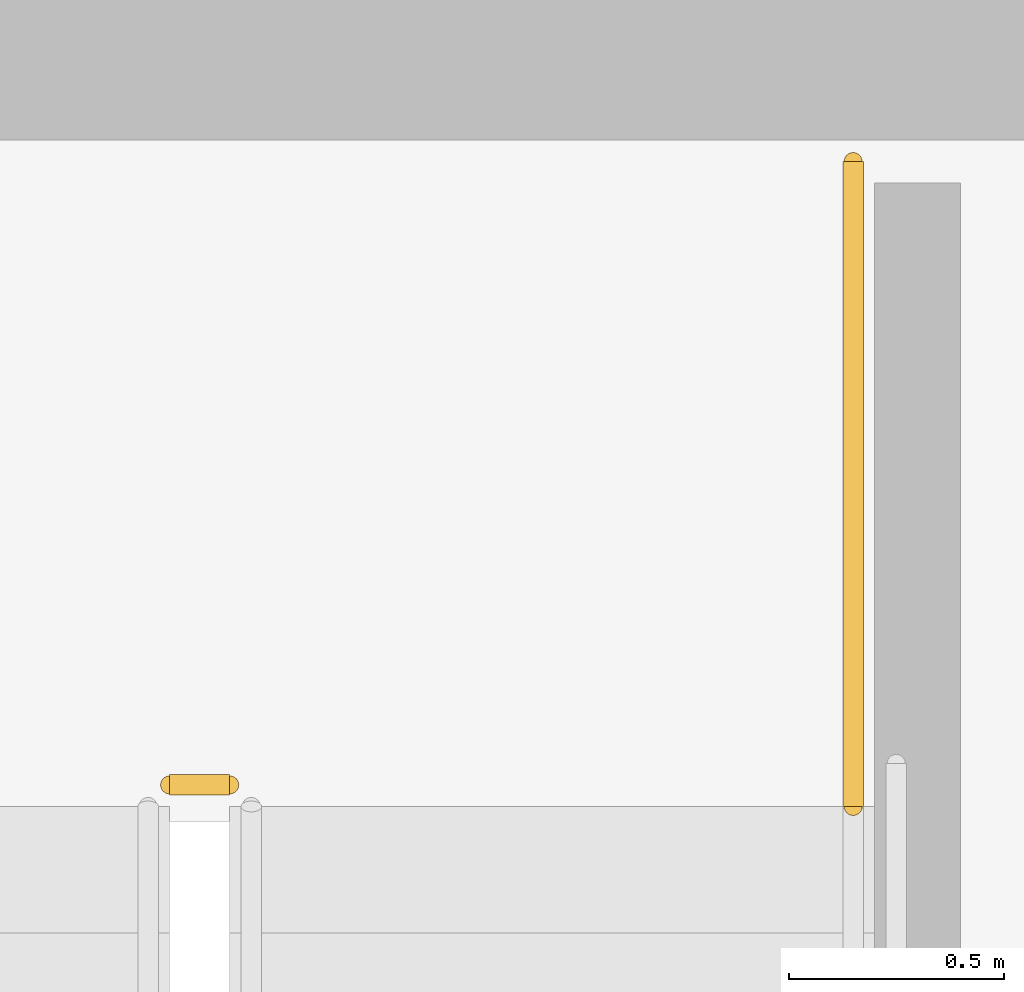
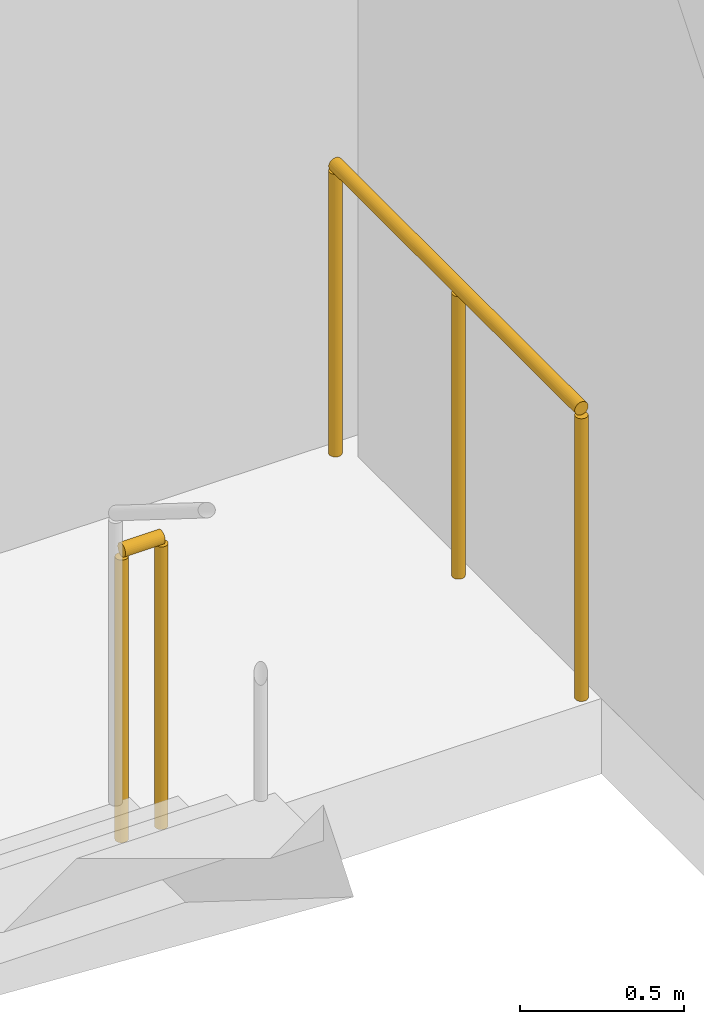
# One storey, part 25 of 25: 2 railings.
"""IFC4 building model written with IfcOpenShell, lengths in metres."""

from ifc_helpers import new_model, si_unit, direction, frame, origin, origin_2d, place, context, subcontext, project, spatial, circle, extrude, material, layer, layer_set, type_object, element, save


model = new_model("IFC4")

# Units and contexts
model_context = context("Model", 3, precision=1e-05, world=origin(), true_north=direction((0.0, 1.0)))
body_context = subcontext(model_context, "Body", "Model", "MODEL_VIEW")
ifc_project = project(units=[si_unit("LENGTHUNIT", "METRE"), si_unit("AREAUNIT", "SQUARE_METRE"), si_unit("VOLUMEUNIT", "CUBIC_METRE"), si_unit("PLANEANGLEUNIT", "RADIAN"), si_unit("MASSUNIT", "GRAM", prefix="KILO")], contexts=[model_context])

# Site, building, storey
site_placement = place(None, origin())
site = spatial("IfcSite", under=ifc_project, at=site_placement, CompositionType="ELEMENT")
building_placement = place(site_placement, origin())
building = spatial("IfcBuilding", under=site, at=building_placement, Name="Ndaravel Arena Tower", CompositionType="ELEMENT")
storey_placement = place(building_placement, frame((0.0, 0.0, 298.5)))
storey = spatial("IfcBuildingStorey", under=building, at=storey_placement, Name="L73", CompositionType="ELEMENT", Elevation=298.5)

# Railings
ifc_material = material(Name="Steel S355", Category="steel")
ifc_layer = layer(ifc_material, 0.06005859375)
ifc_layer_set = layer_set([ifc_layer], Name="Steel S355")
railing_type = type_object("IfcRailingType", Name="RAIL-STAIR-GD1100", PredefinedType="GUARDRAIL", material=ifc_layer_set)
railing_1_placement = place(storey_placement, frame((55.10009765625, 13.300048828125, 0.0)))
element("IfcRailing", 1, at=railing_1_placement, inside=storey, type_object=railing_type, Name="L73 ST-3 stair guard 4", PredefinedType="GUARDRAIL", context=body_context, shape_type="SweptSolid", body=[
    extrude(circle(Radius=0.02392578125, at=origin_2d()), frame((0.0, 0.0, 1.076171875), z_axis=(1.0, 0.0, 0.0), x_axis=(0.0, 1.0, 0.0)), (0.0, 0.0, 1.0), 0.139892578125),
    extrude(circle(Radius=0.02099609375, at=origin_2d()), origin(), (0.0, 0.0, 1.0), 1.052001953125),
    extrude(circle(Radius=0.02099609375, at=origin_2d()), frame((0.139892578125, 0.0, 0.0)), (0.0, 0.0, 1.0), 1.052001953125),
])
railing_2_placement = place(storey_placement, frame((56.68994140625, 14.75, 0.0)))
element("IfcRailing", 2, at=railing_2_placement, inside=storey, type_object=railing_type, Name="L73 ST-3 stair guard 5", PredefinedType="GUARDRAIL", context=body_context, shape_type="SweptSolid", body=[
    extrude(circle(Radius=0.02392578125, at=origin_2d()), frame((0.0, 0.0, 1.076171875), z_axis=(0.0, -1.0, 0.0), x_axis=(1.0, 0.0, 0.0)), (0.0, 0.0, 1.0), 1.5),
    extrude(circle(Radius=0.02099609375, at=origin_2d()), origin(), (0.0, 0.0, 1.0), 1.052001953125),
    extrude(circle(Radius=0.02099609375, at=origin_2d()), frame((0.0, -0.75, 0.0)), (0.0, 0.0, 1.0), 1.052001953125),
    extrude(circle(Radius=0.02099609375, at=origin_2d()), frame((0.0, -1.5, 0.0)), (0.0, 0.0, 1.0), 1.052001953125),
])

save(model, "model.ifc")
